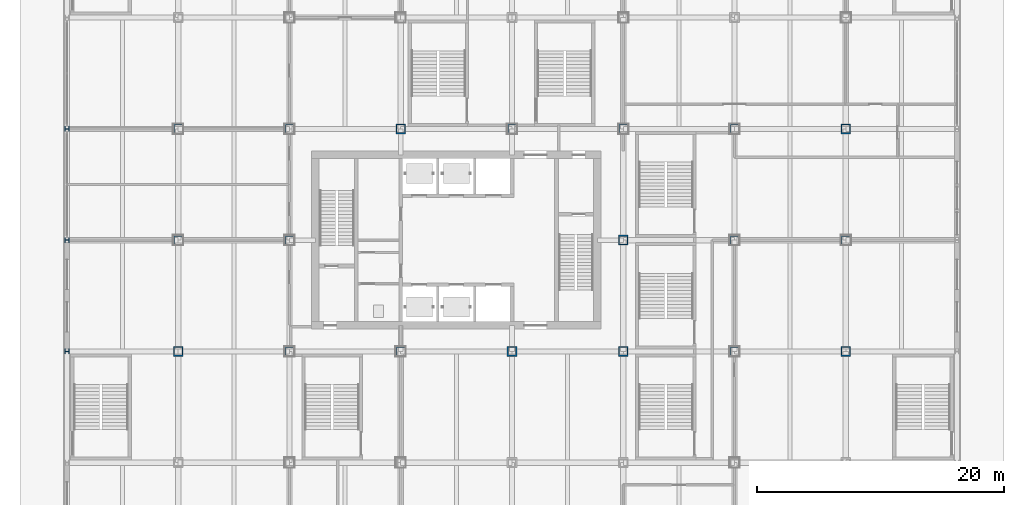
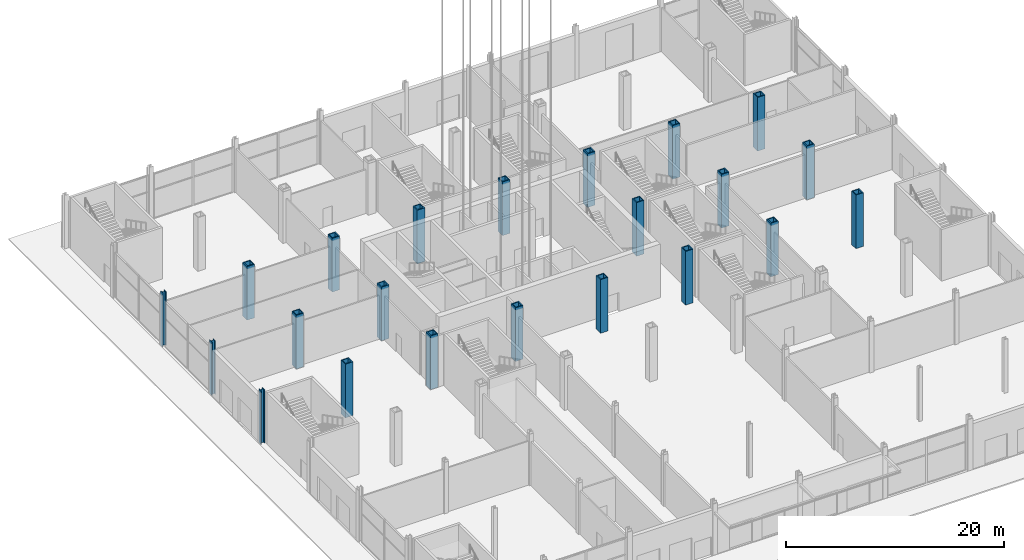
# One storey, part 2 of 34: 22 columns.
"""IFC4 building model written with IfcOpenShell, lengths in metres."""

import ifcopenshell
import ifcopenshell.guid

model = None  # the IFC model being written
_history = None  # IfcOwnerHistory: only IFC2X3 demands one
_inside = {}  # id of a spatial element -> (the spatial element, [elements in it])
_under = {}  # id of a project, library or spatial element -> (it, [spatial elements below it])
_declared = {}  # id of a project -> (the project, [libraries it declares])
_typed = {}  # id of a type object -> (the type object, [elements of that type])
_made_of = {}  # id of a material, layer set ... -> (it, [elements and type objects made of it])


def new_model(schema):
    """Start an empty IFC model of exactly this schema.

    Asked for "IFC4X3", IfcOpenShell would pick the latest addendum, in which some entities
    have other attributes; the version numbers below select the first issue.
    IFC2X3 requires an IfcOwnerHistory on every rooted entity: one is made here for all.
    """
    global model, _history
    if schema == "IFC4X3":
        model = ifcopenshell.file(schema_version=(4, 3, 0, 0))
    else:
        model = ifcopenshell.file(schema=schema)
    _inside.clear()
    _under.clear()
    _declared.clear()
    _typed.clear()
    _made_of.clear()
    _history = None
    if model.schema == "IFC2X3":
        org = make("IfcOrganization", Name="unknown")
        user = make(
            "IfcPersonAndOrganization",
            ThePerson=make("IfcPerson", FamilyName="unknown"),
            TheOrganization=org,
        )
        app = make(
            "IfcApplication",
            ApplicationDeveloper=org,
            Version="unknown",
            ApplicationFullName="unknown",
            ApplicationIdentifier="unknown",
        )
        _history = make(
            "IfcOwnerHistory",
            OwningUser=user,
            OwningApplication=app,
            ChangeAction="ADDED",
            CreationDate=0,
        )
    return model


def make(cls, **values):
    """One entity of the class cls with the attributes given. An attribute that is None is left unset."""
    return model.create_entity(
        cls, **{name: value for name, value in values.items() if value is not None}
    )


def rooted(cls, **values):
    """An entity with a GlobalId (a new one), such as an element, a storey or a relation."""
    return make(cls, GlobalId=ifcopenshell.guid.new(), OwnerHistory=_history, **values)


def si_unit(unit_type, name, prefix=None):
    """IfcSIUnit, for example si_unit("LENGTHUNIT", "METRE", prefix="MILLI")."""
    return make("IfcSIUnit", UnitType=unit_type, Prefix=prefix, Name=name)


def assignment(units):
    """IfcUnitAssignment: the units of a project."""
    return None if units is None else make("IfcUnitAssignment", Units=units)


def point(xyz):
    """IfcCartesianPoint."""
    return None if xyz is None else make("IfcCartesianPoint", Coordinates=xyz)


def direction(xyz):
    """IfcDirection."""
    return None if xyz is None else make("IfcDirection", DirectionRatios=xyz)


def frame(location, z_axis=None, x_axis=None):
    """IfcAxis2Placement3D, a coordinate frame: its origin and axes. An axis left out is left unset."""
    return make(
        "IfcAxis2Placement3D",
        Location=point(location),
        Axis=direction(z_axis),
        RefDirection=direction(x_axis),
    )


def frame_2d(location, x_axis=None):
    """IfcAxis2Placement2D, a coordinate frame in the plane: its origin and x axis."""
    return make(
        "IfcAxis2Placement2D", Location=point(location), RefDirection=direction(x_axis)
    )


def origin():
    """The frame at (0, 0, 0) with its axes left unset."""
    return frame((0.0, 0.0, 0.0))


def origin_2d():
    """The frame at (0, 0) in the plane with its x axis left unset."""
    return frame_2d((0.0, 0.0))


def place(relative_to, where):
    """IfcLocalPlacement: puts the frame where relative to a parent placement (None: the world)."""
    return make(
        "IfcLocalPlacement", PlacementRelTo=relative_to, RelativePlacement=where
    )


def context(
    kind, dimensions, precision=None, world=None, true_north=None, identifier=None
):
    """IfcGeometricRepresentationContext, for example the 3D "Model" context."""
    return make(
        "IfcGeometricRepresentationContext",
        ContextIdentifier=identifier,
        ContextType=kind,
        CoordinateSpaceDimension=dimensions,
        Precision=precision,
        WorldCoordinateSystem=world,
        TrueNorth=true_north,
    )


def subcontext(parent, identifier, kind, view, scale=None):
    """IfcGeometricRepresentationSubContext, for example "Body" below "Model"."""
    return make(
        "IfcGeometricRepresentationSubContext",
        ContextIdentifier=identifier,
        ContextType=kind,
        ParentContext=parent,
        TargetScale=scale,
        TargetView=view,
    )


def project(units=None, contexts=None):
    """IfcProject with its units and contexts."""
    return rooted(
        "IfcProject",
        Name="project",
        RepresentationContexts=contexts,
        UnitsInContext=assignment(units),
    )


def spatial(cls, under=None, at=None, **own):
    """A site, building, storey or space (cls), placed at a placement, below another one or the project."""
    s = rooted(cls, ObjectPlacement=at, **own)
    if under is not None:
        _under.setdefault(under.id(), (under, []))[1].append(s)
    return s


def profile(cls, at=None, kind="AREA", **sizes):
    """A parametric profile (cls). Its sizes go by their IFC names, for example OverallWidth=200.0."""
    return make(cls, ProfileType=kind, Position=at, **sizes)


def hollow_rectangle(**sizes):
    """IfcRectangleHollowProfileDef."""
    return profile("IfcRectangleHollowProfileDef", **sizes)


def i_section(**sizes):
    """IfcIShapeProfileDef."""
    return profile("IfcIShapeProfileDef", **sizes)


def extrude(swept, where, along, depth):
    """IfcExtrudedAreaSolid: the profile swept, set in the frame where, extruded along a direction by depth."""
    return make(
        "IfcExtrudedAreaSolid",
        SweptArea=swept,
        Position=where,
        ExtrudedDirection=direction(along),
        Depth=depth,
    )


def shape(context_of_items, identifier, shape_type, items):
    """IfcShapeRepresentation: the items that make up one representation, for example the "Body"."""
    return make(
        "IfcShapeRepresentation",
        ContextOfItems=context_of_items,
        RepresentationIdentifier=identifier,
        RepresentationType=shape_type,
        Items=items,
    )


def material(Name=None, Category=None):
    """IfcMaterial."""
    return make("IfcMaterial", Name=Name, Category=Category)


def material_profile(
    of_material, cross_section, Name=None, Category=None, Priority=None
):
    """IfcMaterialProfile: a cross section and its material."""
    return make(
        "IfcMaterialProfile",
        Name=Name,
        Material=of_material,
        Profile=cross_section,
        Priority=Priority,
        Category=Category,
    )


def profile_set(profiles, Name=None, composite=None):
    """IfcMaterialProfileSet."""
    return make(
        "IfcMaterialProfileSet",
        Name=Name,
        MaterialProfiles=profiles,
        CompositeProfile=composite,
    )


def made_of(thing, what):
    """Note that an element or type object is made of a material, layer set ...; save() writes the relation."""
    if what is not None:
        _made_of.setdefault(what.id(), (what, []))[1].append(thing)
    return thing


def type_object(cls, material=None, **own):
    """A type object (cls), such as IfcWallType, which elements share."""
    return made_of(rooted(cls, **own), material)


def element(
    cls,
    number,
    at=None,
    inside=None,
    cuts=None,
    type_object=None,
    material=None,
    context=None,
    identifier="Body",
    shape_type=None,
    held_by="IfcProductDefinitionShape",
    body=None,
    shapes=None,
    **own,
):
    """One element of the class cls, such as IfcWall. Its Tag is "e" and its number.

    at: its placement. inside: the storey or other place that contains it. cuts: it is an
    opening in that element (IfcRelVoidsElement). A single representation is given by context,
    identifier, shape_type and body (its items); several are given by shapes. held_by: the class
    of the entity that holds the representations. save() writes the other relations.
    """
    e = rooted(cls, Tag="e%d" % number, ObjectPlacement=at, **own)
    if body is not None:
        shapes = [shape(context, identifier, shape_type, body)]
    if shapes is not None:
        e.Representation = make(held_by, Representations=shapes)
    if inside is not None:
        _inside.setdefault(inside.id(), (inside, []))[1].append(e)
    if cuts is not None:
        rooted(
            "IfcRelVoidsElement", RelatingBuildingElement=cuts, RelatedOpeningElement=e
        )
    if type_object is not None:
        _typed.setdefault(type_object.id(), (type_object, []))[1].append(e)
    return made_of(e, material)


def aggregate(whole, parts):
    """IfcRelAggregates: a whole, such as a stair, and the parts it consists of."""
    return rooted("IfcRelAggregates", RelatingObject=whole, RelatedObjects=parts)


def save(model, path):
    """Write the relations noted so far, then the file.

    IfcRelAggregates (storeys below a building ...), IfcRelContainedInSpatialStructure (elements
    in a storey), IfcRelDefinesByType, IfcRelAssociatesMaterial and IfcRelDeclares: one each for
    every whole, place, type object, material and project.
    """
    for whole, parts in _under.values():
        aggregate(whole, parts)
    for where, things in _inside.values():
        rooted(
            "IfcRelContainedInSpatialStructure",
            RelatedElements=things,
            RelatingStructure=where,
        )
    for kind, things in _typed.values():
        rooted("IfcRelDefinesByType", RelatedObjects=things, RelatingType=kind)
    for what, things in _made_of.values():
        rooted("IfcRelAssociatesMaterial", RelatedObjects=things, RelatingMaterial=what)
    for by, libraries in _declared.values():
        rooted("IfcRelDeclares", RelatingContext=by, RelatedDefinitions=libraries)
    model.write(path)


model = new_model("IFC4")

# Units and contexts
model_context = context("Model", 3, precision=1e-05, world=origin(), true_north=direction((0.0, 1.0)))
body_context = subcontext(model_context, "Body", "Model", "MODEL_VIEW")
ifc_project = project(units=[si_unit("LENGTHUNIT", "METRE"), si_unit("AREAUNIT", "SQUARE_METRE"), si_unit("VOLUMEUNIT", "CUBIC_METRE"), si_unit("PLANEANGLEUNIT", "RADIAN"), si_unit("MASSUNIT", "GRAM", prefix="KILO")], contexts=[model_context])

# Site, building, storey
site_placement = place(None, origin())
site = spatial("IfcSite", under=ifc_project, at=site_placement, CompositionType="ELEMENT")
building_placement = place(site_placement, origin())
building = spatial("IfcBuilding", under=site, at=building_placement, Name="Loomwork Tower", CompositionType="ELEMENT")
storey_placement = place(building_placement, origin())
storey = spatial("IfcBuildingStorey", under=building, at=storey_placement, Name="L00", CompositionType="ELEMENT", Elevation=0.0)

# Columns
ifc_material_1 = material(Name="Steel ASTM A572 Grade 50 plate", Category="steel")
ifc_material_profile_1 = material_profile(ifc_material_1, hollow_rectangle(XDim=0.800048828125, YDim=0.800048828125, WallThickness=0.10009765625, at=origin_2d()), Name="BOX800x100")
ifc_profile_set_1 = profile_set([ifc_material_profile_1], Name="Steel ASTM A572 Grade 50 plate")
column_type_1 = type_object("IfcColumnType", Name="EXOSKELETON PIER BOX800x100", PredefinedType="COLUMN", material=ifc_profile_set_1)
for number, where, z_axis, x_axis, name in (
    (1, (0.0, 9.0, 0.0), (0.0, 0.0, 1.0), (0.0, 1.0, 0.0), "Exoskeleton Pier E/2 L00"),
    (2, (0.0, 18.0, 0.0), (0.0, 0.0, 1.0), (0.0, 1.0, 0.0), "Exoskeleton Pier F/2 L00"),
    (3, (0.0, 27.0, 0.0), (0.0, 0.0, 1.0), (0.0, 1.0, 0.0), "Exoskeleton Pier G/2 L00"),
    (4, (54.0, 9.0, 0.0), (0.0, 0.0, 1.0), (0.0, 1.0, 0.0), "Exoskeleton Pier E/8 L00"),
    (5, (54.0, 18.0, 0.0), (0.0, 0.0, 1.0), (0.0, 1.0, 0.0), "Exoskeleton Pier F/8 L00"),
    (6, (54.0, 27.0, 0.0), (0.0, 0.0, 1.0), (0.0, 1.0, 0.0), "Exoskeleton Pier G/8 L00"),
):
    element("IfcColumn", number, at=place(storey_placement, frame(where, z_axis=z_axis, x_axis=x_axis)), inside=storey, type_object=column_type_1, Name=name, PredefinedType="COLUMN", context=body_context, shape_type="SweptSolid", body=[
        extrude(hollow_rectangle(XDim=0.800048828125, YDim=0.800048828125, WallThickness=0.10009765625, at=origin_2d()), origin(), (0.0, 0.0, 1.0), 6.0),
    ])
ifc_material_2 = material(Name="Steel ASTM A992", Category="steel")
ifc_material_profile_2 = material_profile(ifc_material_2, i_section(OverallWidth=0.4013671875, OverallDepth=0.398681640625, WebThickness=0.02490234375, FlangeThickness=0.03955078125, at=origin_2d()), Name="W14x211")
ifc_profile_set_2 = profile_set([ifc_material_profile_2], Name="Steel ASTM A992")
column_type_2 = type_object("IfcColumnType", Name="PODIUM COLUMN W14x211", PredefinedType="COLUMN", material=ifc_profile_set_2)
for number, where, z_axis, x_axis, name in (
    (7, (-9.0, 9.0, 0.0), (0.0, 0.0, 1.0), (0.0, 1.0, 0.0), "Podium Column E/1 L00"),
    (8, (-9.0, 18.0, 0.0), (0.0, 0.0, 1.0), (0.0, 1.0, 0.0), "Podium Column F/1 L00"),
    (9, (-9.0, 27.0, 0.0), (0.0, 0.0, 1.0), (0.0, 1.0, 0.0), "Podium Column G/1 L00"),
):
    element("IfcColumn", number, at=place(storey_placement, frame(where, z_axis=z_axis, x_axis=x_axis)), inside=storey, type_object=column_type_2, Name=name, PredefinedType="COLUMN", context=body_context, shape_type="SweptSolid", body=[
        extrude(i_section(OverallWidth=0.4013671875, OverallDepth=0.398681640625, WebThickness=0.02490234375, FlangeThickness=0.03955078125, at=origin_2d()), origin(), (0.0, 0.0, 1.0), 6.0),
    ])
ifc_material_3 = material(Name="Steel ASTM A572 Grade 50 plate", Category="steel")
ifc_material_profile_3 = material_profile(ifc_material_3, hollow_rectangle(XDim=0.800048828125, YDim=0.800048828125, WallThickness=0.10009765625, at=origin_2d()), Name="BOX800x100")
ifc_profile_set_3 = profile_set([ifc_material_profile_3], Name="Steel ASTM A572 Grade 50 plate")
column_type_3 = type_object("IfcColumnType", Name="TOWER COLUMN BOX800x100", PredefinedType="COLUMN", material=ifc_profile_set_3)
for number, where, z_axis, x_axis, name in (
    (10, (9.0, 9.0, 0.0), (0.0, 0.0, 1.0), (1.0, 0.0, 0.0), "Tower Column E/3 L00"),
    (11, (9.0, 18.0, 0.0), (0.0, 0.0, 1.0), (1.0, 0.0, 0.0), "Tower Column F/3 L00"),
    (12, (9.0, 27.0, 0.0), (0.0, 0.0, 1.0), (1.0, 0.0, 0.0), "Tower Column G/3 L00"),
    (13, (18.0, 9.0, 0.0), (0.0, 0.0, 1.0), (1.0, 0.0, 0.0), "Tower Column E/4 L00"),
    (14, (18.0, 27.0, 0.0), (0.0, 0.0, 1.0), (1.0, 0.0, 0.0), "Tower Column G/4 L00"),
    (15, (27.0, 9.0, 0.0), (0.0, 0.0, 1.0), (1.0, 0.0, 0.0), "Tower Column E/5 L00"),
    (16, (27.0, 27.0, 0.0), (0.0, 0.0, 1.0), (1.0, 0.0, 0.0), "Tower Column G/5 L00"),
    (17, (36.0, 9.0, 0.0), (0.0, 0.0, 1.0), (0.0, 1.0, 0.0), "Tower Column E/6 L00"),
    (18, (36.0, 18.0, 0.0), (0.0, 0.0, 1.0), (0.0, 1.0, 0.0), "Tower Column F/6 L00"),
    (19, (36.0, 27.0, 0.0), (0.0, 0.0, 1.0), (1.0, 0.0, 0.0), "Tower Column G/6 L00"),
    (20, (45.0, 9.0, 0.0), (0.0, 0.0, 1.0), (0.0, 1.0, 0.0), "Tower Column E/7 L00"),
    (21, (45.0, 18.0, 0.0), (0.0, 0.0, 1.0), (0.0, 1.0, 0.0), "Tower Column F/7 L00"),
    (22, (45.0, 27.0, 0.0), (0.0, 0.0, 1.0), (0.0, 1.0, 0.0), "Tower Column G/7 L00"),
):
    element("IfcColumn", number, at=place(storey_placement, frame(where, z_axis=z_axis, x_axis=x_axis)), inside=storey, type_object=column_type_3, Name=name, PredefinedType="COLUMN", context=body_context, shape_type="SweptSolid", body=[
        extrude(hollow_rectangle(XDim=0.800048828125, YDim=0.800048828125, WallThickness=0.10009765625, at=origin_2d()), origin(), (0.0, 0.0, 1.0), 6.0),
    ])

save(model, "model.ifc")
